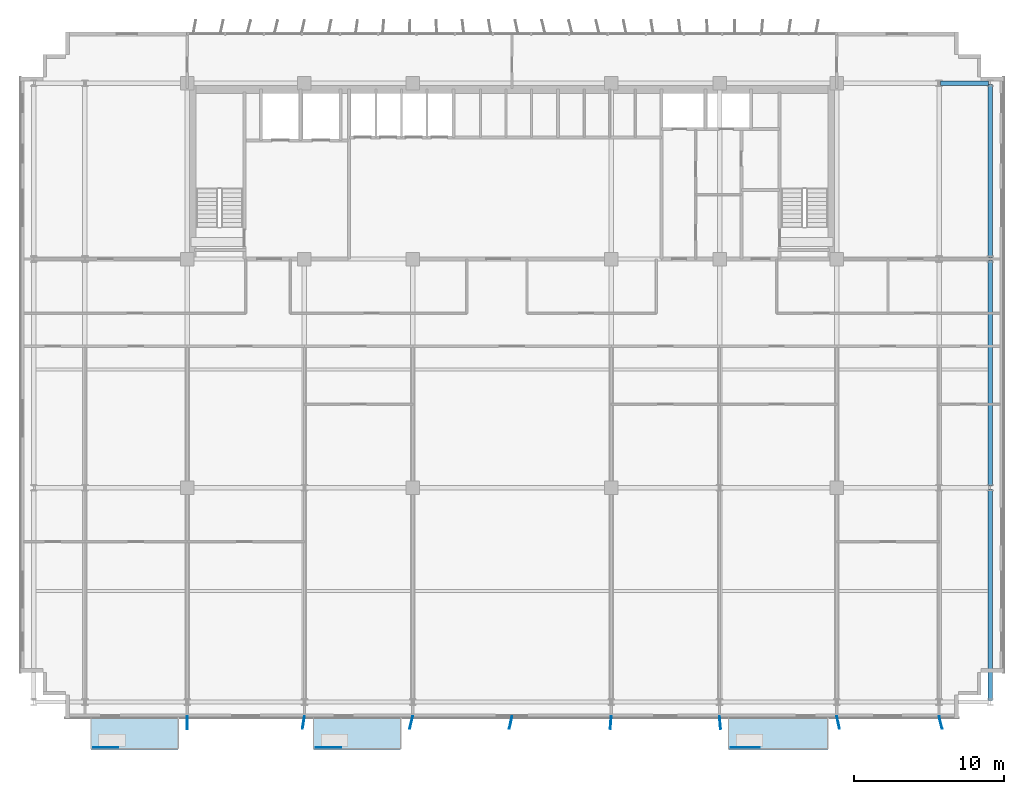
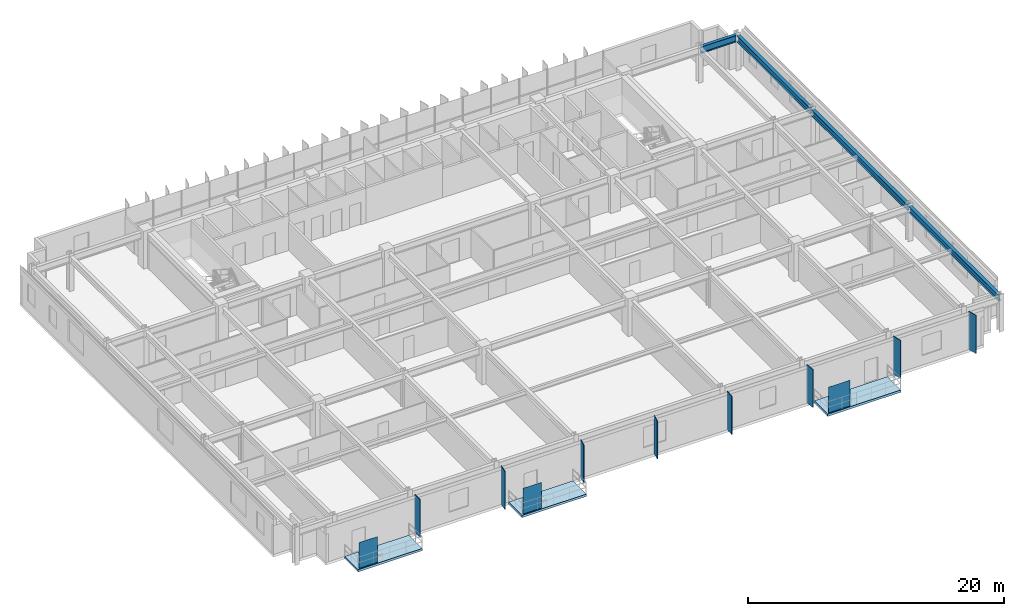
# One storey, part 13 of 21: 11 plates, 4 beams, 3 slabs.
"""IFC4 building model written with IfcOpenShell, lengths in metres."""

from ifc_helpers import new_model, si_unit, direction, frame, origin, origin_2d, place, context, subcontext, project, spatial, polyline, rectangle, i_section, outline, extrude, source, transform, mapped, material, layer, layer_set, material_profile, profile_set, type_object, element, save


model = new_model("IFC4")

# Units and contexts
model_context = context("Model", 3, precision=1e-05, world=origin(), true_north=direction((0.0, 1.0)))
body_context = subcontext(model_context, "Body", "Model", "MODEL_VIEW")
ifc_project = project(units=[si_unit("LENGTHUNIT", "METRE"), si_unit("AREAUNIT", "SQUARE_METRE"), si_unit("VOLUMEUNIT", "CUBIC_METRE"), si_unit("PLANEANGLEUNIT", "RADIAN"), si_unit("MASSUNIT", "GRAM", prefix="KILO")], contexts=[model_context])

# Site, building, storey
site_placement = place(None, origin())
site = spatial("IfcSite", under=ifc_project, at=site_placement, CompositionType="ELEMENT")
building_placement = place(site_placement, origin())
building = spatial("IfcBuilding", under=site, at=building_placement, Name="Trelvane Seafront Commons", CompositionType="ELEMENT")
storey_placement = place(building_placement, frame((0.0, 0.0, 37.89990234375)))
storey = spatial("IfcBuildingStorey", under=building, at=storey_placement, Name="L09", CompositionType="ELEMENT", Elevation=37.89990234375)

# Beams
ifc_material_1 = material(Name="Steel SM355 (S355)", Category="steel")
ifc_material_profile_1 = material_profile(ifc_material_1, i_section(OverallWidth=0.280029296875, OverallDepth=0.64990234375, WebThickness=0.012939453125, FlangeThickness=0.02197265625, at=origin_2d()), Name="H-650x280x13x22")
ifc_profile_set_1 = profile_set([ifc_material_profile_1], Name="Steel SM355 (S355)")
beam_type_1 = type_object("IfcBeamType", Name="STR-BM-H650", PredefinedType="BEAM", material=ifc_profile_set_1)
shared_shape_1 = source(origin(), body_context, "Body", "SweptSolid", [
    extrude(i_section(OverallWidth=0.280029296875, OverallDepth=0.64990234375, WebThickness=0.012939453125, FlangeThickness=0.02197265625, at=origin_2d()), origin(), (0.0, 0.0, 1.0), 3.18994140625),
])
beam_1_placement = place(storey_placement, frame((65.705078125, 45.10009765625, 3.01513671875), z_axis=(1.0, 0.0, 0.0), x_axis=(0.0, 1.0, 0.0)))
element("IfcBeam", 1, at=beam_1_placement, inside=storey, type_object=beam_type_1, Name="L09 Primary Girder G-36", PredefinedType="BEAM", context=body_context, shape_type="MappedRepresentation", body=[
    mapped(shared_shape_1, transform((0.0, 0.0, 0.0), x_axis=(1.0, 0.0, 0.0), y_axis=(0.0, 1.0, 0.0), z_axis=(0.0, 0.0, 1.0), scale=1.0)),
])
ifc_material_profile_2 = material_profile(ifc_material_1, i_section(OverallWidth=0.300048828125, OverallDepth=0.587890625, WebThickness=0.011962890625, FlangeThickness=0.02001953125, at=origin_2d()), Name="H-588x300x12x20")
ifc_profile_set_2 = profile_set([ifc_material_profile_2], Name="Steel SM355 (S355)")
beam_type_2 = type_object("IfcBeamType", Name="STR-BM-H588", PredefinedType="BEAM", material=ifc_profile_set_2)
shared_shape_2 = source(origin(), body_context, "Body", "SweptSolid", [
    extrude(i_section(OverallWidth=0.300048828125, OverallDepth=0.587890625, WebThickness=0.011962890625, FlangeThickness=0.02001953125, at=origin_2d()), origin(), (0.0, 0.0, 1.0), 14.0400390625),
])
beam_2_placement = place(storey_placement, frame((69.0, 4.054931640625, 3.046142578125), z_axis=(0.0, 1.0, 0.0), x_axis=(-1.0, 0.0, 0.0)))
element("IfcBeam", 2, at=beam_2_placement, inside=storey, type_object=beam_type_2, Name="L09 Primary Girder G-64", PredefinedType="BEAM", context=body_context, shape_type="MappedRepresentation", body=[
    mapped(shared_shape_2, transform((0.0, 0.0, 0.0), x_axis=(1.0, 0.0, 0.0), y_axis=(0.0, 1.0, 0.0), z_axis=(0.0, 0.0, 1.0), scale=1.0)),
])
shared_shape_3 = source(origin(), body_context, "Body", "SweptSolid", [
    extrude(i_section(OverallWidth=0.300048828125, OverallDepth=0.587890625, WebThickness=0.011962890625, FlangeThickness=0.02001953125, at=origin_2d()), origin(), (0.0, 0.0, 1.0), 14.989990234375),
])
beam_3_placement = place(storey_placement, frame((69.0, 18.304931640625, 3.046142578125), z_axis=(0.0, 1.0, 0.0), x_axis=(-1.0, 0.0, 0.0)))
element("IfcBeam", 3, at=beam_3_placement, inside=storey, type_object=beam_type_2, Name="L09 Primary Girder G-65", PredefinedType="BEAM", context=body_context, shape_type="MappedRepresentation", body=[
    mapped(shared_shape_3, transform((0.0, 0.0, 0.0), x_axis=(1.0, 0.0, 0.0), y_axis=(0.0, 1.0, 0.0), z_axis=(0.0, 0.0, 1.0), scale=1.0)),
])
shared_shape_4 = source(origin(), body_context, "Body", "SweptSolid", [
    extrude(i_section(OverallWidth=0.300048828125, OverallDepth=0.587890625, WebThickness=0.011962890625, FlangeThickness=0.02001953125, at=origin_2d()), origin(), (0.0, 0.0, 1.0), 11.490234375),
])
beam_4_placement = place(storey_placement, frame((69.0, 33.5048828125, 3.046142578125), z_axis=(0.0, 1.0, 0.0), x_axis=(-1.0, 0.0, 0.0)))
element("IfcBeam", 4, at=beam_4_placement, inside=storey, type_object=beam_type_2, Name="L09 Primary Girder G-66", PredefinedType="BEAM", context=body_context, shape_type="MappedRepresentation", body=[
    mapped(shared_shape_4, transform((0.0, 0.0, 0.0), x_axis=(1.0, 0.0, 0.0), y_axis=(0.0, 1.0, 0.0), z_axis=(0.0, 0.0, 1.0), scale=1.0)),
])

# Slabs
ifc_material_2 = material(Name="Concrete C40/50", Category="concrete")
ifc_layer_1 = layer(ifc_material_2, 0.219970703125, Name="ARCH-BALC-220")
ifc_layer_set_1 = layer_set([ifc_layer_1], Name="Concrete C40/50")
slab_type = type_object("IfcSlabType", Name="ARCH-BALC-220", PredefinedType="FLOOR", material=ifc_layer_set_1)
slab_1_placement = place(storey_placement, frame((0.0, 0.0, -0.219970703125)))
element("IfcSlab", 5, at=slab_1_placement, inside=storey, type_object=slab_type, Name="L09 Cantilevered Tree Balcony Loggia 1", PredefinedType="FLOOR", context=body_context, shape_type="SweptSolid", body=[
    extrude(outline(polyline([(9.199951171875, 0.800048828125), (15.0, 0.800048828125), (15.0, 2.89990234375), (9.199951171875, 2.89990234375), (9.199951171875, 0.800048828125)])), origin(), (0.0, 0.0, 1.0), 0.219970703125),
])
slab_2_placement = place(storey_placement, frame((0.0, 0.0, -0.219970703125)))
element("IfcSlab", 6, at=slab_2_placement, inside=storey, type_object=slab_type, Name="L09 Cantilevered Tree Balcony Loggia 2", PredefinedType="FLOOR", context=body_context, shape_type="SweptSolid", body=[
    extrude(outline(polyline([(24.0, 0.800048828125), (29.800048828125, 0.800048828125), (29.800048828125, 2.89990234375), (24.0, 2.89990234375), (24.0, 0.800048828125)])), origin(), (0.0, 0.0, 1.0), 0.219970703125),
])
slab_3_placement = place(storey_placement, frame((0.0, 0.0, -0.219970703125)))
element("IfcSlab", 7, at=slab_3_placement, inside=storey, type_object=slab_type, Name="L09 Cantilevered Tree Balcony Loggia 3", PredefinedType="FLOOR", context=body_context, shape_type="SweptSolid", body=[
    extrude(outline(polyline([(51.60009765625, 0.800048828125), (58.199951171875, 0.800048828125), (58.199951171875, 2.89990234375), (51.60009765625, 2.89990234375), (51.60009765625, 0.800048828125)])), origin(), (0.0, 0.0, 1.0), 0.219970703125),
])

# Plates
ifc_material_3 = material(Name="Perforated anodised aluminium screen", Category="aluminium")
ifc_layer_2 = layer(ifc_material_3, 0.01611328125, Name="ARCH-PLATE-SCREEN")
ifc_layer_set_2 = layer_set([ifc_layer_2], Name="Perforated anodised aluminium screen")
plate_type_1 = type_object("IfcPlateType", Name="ARCH-PLATE-SCREEN", PredefinedType="USERDEFINED", material=ifc_layer_set_2)
shared_shape_5 = source(origin(), body_context, "Body", "SweptSolid", [
    extrude(rectangle(XDim=1.9140625, YDim=0.01611328125, at=origin_2d()), origin(), (0.0, 0.0, 1.0), 2.449951171875),
])
plate_placement = place(storey_placement, frame((52.70703125, 0.919921875, 0.0), z_axis=(0.0, 0.0, 1.0), x_axis=(1.0, 0.0, 0.0)))
element("IfcPlate", 8, at=plate_placement, inside=storey, type_object=plate_type_1, Name="SCR-L09-00033", ObjectType="SCREEN", PredefinedType="USERDEFINED", context=body_context, shape_type="MappedRepresentation", body=[
    mapped(shared_shape_5, transform((0.0, 0.0, 0.0), x_axis=(1.0, 0.0, 0.0), y_axis=(0.0, 1.0, 0.0), z_axis=(0.0, 0.0, 1.0), scale=1.0)),
])
shared_shape_6 = source(origin(), body_context, "Body", "SweptSolid", [
    extrude(rectangle(XDim=1.681884765625, YDim=0.01611328125, at=origin_2d()), origin(), (0.0, 0.0, 1.0), 2.449951171875),
])
for number, where, z_axis, x_axis, name in (
    (9, (10.19091796875, 0.919921875, 0.0), (0.0, 0.0, 1.0), (1.0, 0.0, 0.0), "SCR-L09-00031"),
    (10, (24.990966796875, 0.919921875, 0.0), (0.0, 0.0, 1.0), (1.0, 0.0, 0.0), "SCR-L09-00032"),
):
    element("IfcPlate", number, at=place(storey_placement, frame(where, z_axis=z_axis, x_axis=x_axis)), inside=storey, type_object=plate_type_1, Name=name, ObjectType="SCREEN", PredefinedType="USERDEFINED", context=body_context, shape_type="MappedRepresentation", body=[
        mapped(shared_shape_6, transform((0.0, 0.0, 0.0), x_axis=(1.0, 0.0, 0.0), y_axis=(0.0, 1.0, 0.0), z_axis=(0.0, 0.0, 1.0), scale=1.0)),
    ])
ifc_material_4 = material(Name="Anodised pale-silver aluminium", Category="aluminium")
ifc_layer_3 = layer(ifc_material_4, 0.06005859375, Name="ARCH-PLATE-FIN900")
ifc_layer_set_3 = layer_set([ifc_layer_3], Name="Anodised pale-silver aluminium")
plate_type_2 = type_object("IfcPlateType", Name="ARCH-PLATE-FIN900", PredefinedType="USERDEFINED", material=ifc_layer_set_3)
shared_shape_7 = source(origin(), body_context, "Body", "SweptSolid", [
    extrude(rectangle(XDim=0.85009765625, YDim=0.06005859375, at=origin_2d()), origin(), (0.0, 0.0, 1.0), 3.639892578125),
])
for number, where, z_axis, x_axis, name in (
    (11, (15.59912109375, 2.574951171875, -0.02001953125), (0.0, 0.0, 1.0), (-0.002235764909, -0.999997500675, 0.0), "FIN-S-L09-00156"),
    (12, (23.332763671875, 2.580322265625, -0.02001953125), (0.0, 0.0, 1.0), (-0.158463094812, -0.987364900927, 0.0), "FIN-S-L09-00157"),
    (13, (30.49853515625, 2.58740234375, -0.02001953125), (0.0, 0.0, 1.0), (-0.238824978066, -0.971062629212, 0.0), "FIN-S-L09-00158"),
    (14, (37.111572265625, 2.584228515625, -0.02001953125), (0.0, 0.0, 1.0), (-0.208227510054, -0.978080417991, 0.0), "FIN-S-L09-00159"),
    (15, (43.76611328125, 2.576416015625, -0.02001953125), (0.0, 0.0, 1.0), (-0.079647424857, -0.996823097502, 0.0), "FIN-S-L09-00160"),
    (16, (51.037353515625, 2.57666015625, -0.02001953125), (0.0, 0.0, 1.0), (0.087649519341, -0.996151374922, 0.0), "FIN-S-L09-00161"),
    (17, (58.890380859375, 2.584716796875, -0.02001953125), (0.0, 0.0, 1.0), (0.212469318599, -0.977167738239, 0.0), "FIN-S-L09-00162"),
    (18, (65.700927734375, 2.587158203125, -0.02001953125), (0.0, 0.0, 1.0), (0.237299342443, -0.971436576456, 0.0), "FIN-S-L09-00163"),
):
    element("IfcPlate", number, at=place(storey_placement, frame(where, z_axis=z_axis, x_axis=x_axis)), inside=storey, type_object=plate_type_2, Name=name, ObjectType="FIN", PredefinedType="USERDEFINED", context=body_context, shape_type="MappedRepresentation", body=[
        mapped(shared_shape_7, transform((0.0, 0.0, 0.0), x_axis=(1.0, 0.0, 0.0), y_axis=(0.0, 1.0, 0.0), z_axis=(0.0, 0.0, 1.0), scale=1.0)),
    ])

save(model, "model.ifc")
